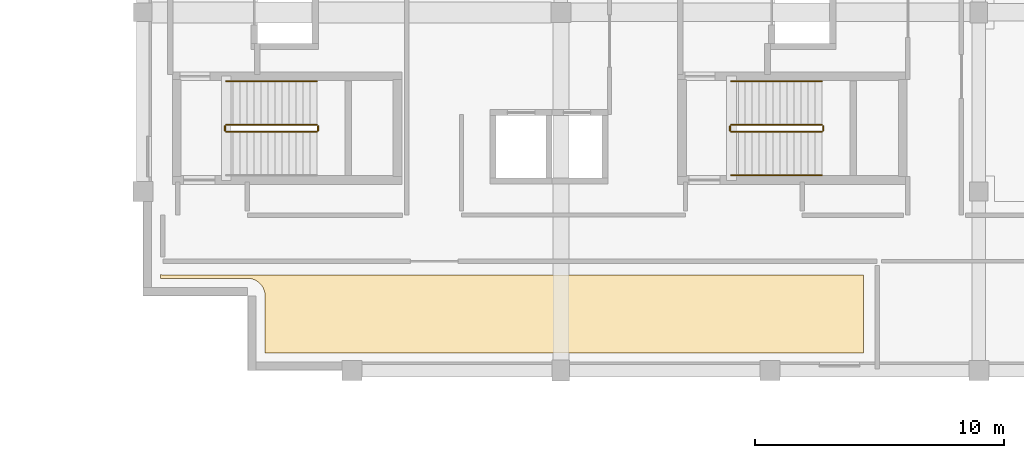
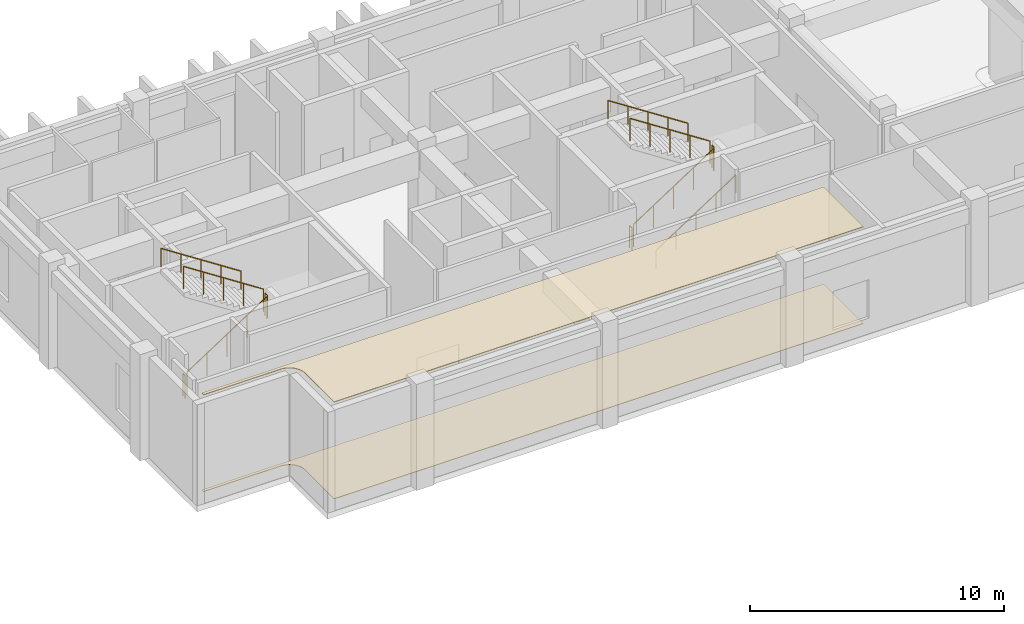
# One storey, part 76 of 78: 11 railings, 2 coverings.
"""IFC4 building model written with IfcOpenShell, lengths in metres."""

from ifc_helpers import new_model, si_unit, direction, frame, origin, origin_2d, place, context, subcontext, project, spatial, polyline, circle, outline, extrude, material, layer, layer_set, type_object, element, save


model = new_model("IFC4")

# Units and contexts
model_context = context("Model", 3, precision=1e-05, world=origin(), true_north=direction((0.0, 1.0)))
body_context = subcontext(model_context, "Body", "Model", "MODEL_VIEW")
ifc_project = project(units=[si_unit("LENGTHUNIT", "METRE"), si_unit("AREAUNIT", "SQUARE_METRE"), si_unit("VOLUMEUNIT", "CUBIC_METRE"), si_unit("PLANEANGLEUNIT", "RADIAN"), si_unit("MASSUNIT", "GRAM", prefix="KILO")], contexts=[model_context])

# Site, building, storey
site_placement = place(None, origin())
site = spatial("IfcSite", under=ifc_project, at=site_placement, CompositionType="ELEMENT")
building_placement = place(site_placement, origin())
building = spatial("IfcBuilding", under=site, at=building_placement, Name="Quendrovan Civic Courthouse", CompositionType="ELEMENT")
storey_placement = place(building_placement, frame((0.0, 0.0, 20.39990234375)))
storey = spatial("IfcBuildingStorey", under=building, at=storey_placement, Name="L05", CompositionType="ELEMENT", Elevation=20.39990234375)

# Coverings
ifc_material_1 = material(Name="Perforated Western Red Cedar and mineral acoustic ceiling")
ifc_layer_1 = layer(ifc_material_1, 0.034912109375, Name="Perforated Western Red Cedar and mineral acoustic ceiling")
ifc_layer_set_1 = layer_set([ifc_layer_1], Name="Perforated Western Red Cedar and mineral acoustic ceiling")
covering_type_1 = type_object("IfcCoveringType", Name="COV-CEIL-ACOUSTIC", PredefinedType="CEILING", material=ifc_layer_set_1)
covering_1_placement = place(storey_placement, frame((0.0, 0.0, 4.64501953125)))
element("IfcCovering", 1, at=covering_1_placement, inside=storey, type_object=covering_type_1, Name="L05 Trial Courtroom Acoustic Ceiling", PredefinedType="CEILING", context=body_context, shape_type="SweptSolid", body=[
    extrude(outline(polyline([(34.31005859375, 91.31005859375), (34.31005859375, 91.4580078125), (34.34619140625, 91.45263671875), (34.39990234375, 91.449951171875), (62.56005859375, 91.449951171875), (62.56005859375, 88.31005859375), (38.510009765625, 88.31005859375), (38.510009765625, 90.60009765625), (38.50927734375, 90.6279296875), (38.508544921875, 90.643798828125), (38.503173828125, 90.6962890625), (38.5009765625, 90.7119140625), (38.490478515625, 90.7646484375), (38.48681640625, 90.77978515625), (38.470947265625, 90.831787109375), (38.465576171875, 90.8466796875), (38.4453125, 90.89599609375), (38.4384765625, 90.91015625), (38.41259765625, 90.95849609375), (38.404541015625, 90.971923828125), (38.37548828125, 91.015380859375), (38.3662109375, 91.028076171875), (38.32958984375, 91.072509765625), (38.319091796875, 91.083984375), (38.2841796875, 91.119140625), (38.2724609375, 91.129638671875), (38.22802734375, 91.166259765625), (38.215576171875, 91.175537109375), (38.171875, 91.20458984375), (38.158447265625, 91.212646484375), (38.110107421875, 91.238525390625), (38.095947265625, 91.2451171875), (38.046630859375, 91.265625), (38.03173828125, 91.27099609375), (37.979736328125, 91.28662109375), (37.964599609375, 91.29052734375), (37.911865234375, 91.30078125), (37.896484375, 91.30322265625), (37.84375, 91.30859375), (37.827880859375, 91.309326171875), (37.800048828125, 91.31005859375), (34.31005859375, 91.31005859375)])), origin(), (0.0, 0.0, 1.0), 0.03515625),
])
ifc_material_2 = material(Name="Solid oak courtroom parquet flooring")
ifc_layer_2 = layer(ifc_material_2, 0.02490234375, Name="Solid oak courtroom parquet flooring")
ifc_layer_set_2 = layer_set([ifc_layer_2], Name="Solid oak courtroom parquet flooring")
covering_type_2 = type_object("IfcCoveringType", Name="COV-FLOR-TIMBER", PredefinedType="FLOORING", material=ifc_layer_set_2)
covering_2_placement = place(storey_placement, origin())
element("IfcCovering", 2, at=covering_2_placement, inside=storey, type_object=covering_type_2, Name="L05 Trial Courtroom Finish Flooring", PredefinedType="FLOORING", context=body_context, shape_type="SweptSolid", body=[
    extrude(outline(polyline([(34.31005859375, 91.31005859375), (34.31005859375, 91.4580078125), (34.34619140625, 91.45263671875), (34.39990234375, 91.449951171875), (62.56005859375, 91.449951171875), (62.56005859375, 88.31005859375), (38.510009765625, 88.31005859375), (38.510009765625, 90.60009765625), (38.50927734375, 90.6279296875), (38.508544921875, 90.643798828125), (38.503173828125, 90.6962890625), (38.5009765625, 90.7119140625), (38.490478515625, 90.7646484375), (38.48681640625, 90.77978515625), (38.470947265625, 90.831787109375), (38.465576171875, 90.8466796875), (38.4453125, 90.89599609375), (38.4384765625, 90.91015625), (38.41259765625, 90.95849609375), (38.404541015625, 90.971923828125), (38.37548828125, 91.015380859375), (38.3662109375, 91.028076171875), (38.32958984375, 91.072509765625), (38.319091796875, 91.083984375), (38.2841796875, 91.119140625), (38.2724609375, 91.129638671875), (38.22802734375, 91.166259765625), (38.215576171875, 91.175537109375), (38.171875, 91.20458984375), (38.158447265625, 91.212646484375), (38.110107421875, 91.238525390625), (38.095947265625, 91.2451171875), (38.046630859375, 91.265625), (38.03173828125, 91.27099609375), (37.979736328125, 91.28662109375), (37.964599609375, 91.29052734375), (37.911865234375, 91.30078125), (37.896484375, 91.30322265625), (37.84375, 91.30859375), (37.827880859375, 91.309326171875), (37.800048828125, 91.31005859375), (34.31005859375, 91.31005859375)])), origin(), (0.0, 0.0, 1.0), 0.025146484375),
])

# Railings
ifc_material_3 = material(Name="Painted galvanized steel", Category="steel")
railing_type_1 = type_object("IfcRailingType", Name="RL-STR-GUARD1100", PredefinedType="GUARDRAIL", material=ifc_material_3)
railing_1_placement = place(storey_placement, frame((36.949951171875, 97.199951171875, 0.18212890625)))
element("IfcRailing", 3, at=railing_1_placement, inside=storey, type_object=railing_type_1, Name="L05 ST1 stair guard 1", PredefinedType="GUARDRAIL", context=body_context, shape_type="SweptSolid", body=[
    extrude(circle(Radius=0.02392578125, at=origin_2d()), frame((0.0, 0.0, 1.076171875), z_axis=(0.83825089185, 0.0, 0.545284735081), x_axis=(0.0, 1.0, 0.0)), (0.0, 0.0, 1.0), 4.342529296875),
    extrude(circle(Radius=0.02099609375, at=origin_2d()), origin(), (0.0, 0.0, 1.0), 1.052001953125),
    extrude(circle(Radius=0.02099609375, at=origin_2d()), frame((0.91015625, 0.0, 0.592041015625)), (0.0, 0.0, 1.0), 1.052001953125),
    extrude(circle(Radius=0.02099609375, at=origin_2d()), frame((1.820068359375, 0.0, 1.18408203125)), (0.0, 0.0, 1.0), 1.052001953125),
    extrude(circle(Radius=0.02099609375, at=origin_2d()), frame((2.72998046875, 0.0, 1.77587890625)), (0.0, 0.0, 1.0), 1.052001953125),
    extrude(circle(Radius=0.02099609375, at=origin_2d()), frame((3.64013671875, 0.0, 2.367919921875)), (0.0, 0.0, 1.0), 1.052001953125),
])
railing_2_placement = place(storey_placement, frame((40.639892578125, 97.25, 2.550048828125)))
element("IfcRailing", 4, at=railing_2_placement, inside=storey, type_object=railing_type_1, Name="L05 ST1 stair guard 2", PredefinedType="GUARDRAIL", context=body_context, shape_type="SweptSolid", body=[
    extrude(circle(Radius=0.02392578125, at=origin_2d()), frame((0.0, 0.0, 1.076171875), z_axis=(0.0, 1.0, 0.0), x_axis=(-1.0, 0.0, 0.0)), (0.0, 0.0, 1.0), 0.179931640625),
    extrude(circle(Radius=0.02099609375, at=origin_2d()), origin(), (0.0, 0.0, 1.0), 1.052001953125),
    extrude(circle(Radius=0.02099609375, at=origin_2d()), frame((0.0, 0.179931640625, 0.0)), (0.0, 0.0, 1.0), 1.052001953125),
])
railing_3_placement = place(storey_placement, frame((40.590087890625, 97.47998046875, 2.732177734375)))
element("IfcRailing", 5, at=railing_3_placement, inside=storey, type_object=railing_type_1, Name="L05 ST1 stair guard 3", PredefinedType="GUARDRAIL", context=body_context, shape_type="SweptSolid", body=[
    extrude(circle(Radius=0.02392578125, at=origin_2d()), frame((0.0, 0.0, 1.076171875), z_axis=(-0.83825089185, 0.0, 0.545284735081), x_axis=(0.0, -1.0, 0.0)), (0.0, 0.0, 1.0), 4.342529296875),
    extrude(circle(Radius=0.02099609375, at=origin_2d()), origin(), (0.0, 0.0, 1.0), 1.052001953125),
    extrude(circle(Radius=0.02099609375, at=origin_2d()), frame((-0.91015625, 0.0, 0.592041015625)), (0.0, 0.0, 1.0), 1.052001953125),
    extrude(circle(Radius=0.02099609375, at=origin_2d()), frame((-1.820068359375, 0.0, 1.18408203125)), (0.0, 0.0, 1.0), 1.052001953125),
    extrude(circle(Radius=0.02099609375, at=origin_2d()), frame((-2.72998046875, 0.0, 1.77587890625)), (0.0, 0.0, 1.0), 1.052001953125),
    extrude(circle(Radius=0.02099609375, at=origin_2d()), frame((-3.64013671875, 0.0, 2.367919921875)), (0.0, 0.0, 1.0), 1.052001953125),
])
railing_4_placement = place(storey_placement, frame((36.89990234375, 97.25, 0.0)))
element("IfcRailing", 6, at=railing_4_placement, inside=storey, type_object=railing_type_1, Name="L05 ST1 stair guard 4", PredefinedType="GUARDRAIL", context=body_context, shape_type="SweptSolid", body=[
    extrude(circle(Radius=0.02392578125, at=origin_2d()), frame((0.0, 0.0, 1.076171875), z_axis=(0.0, 1.0, 0.0), x_axis=(-1.0, 0.0, 0.0)), (0.0, 0.0, 1.0), 0.179931640625),
    extrude(circle(Radius=0.02099609375, at=origin_2d()), origin(), (0.0, 0.0, 1.0), 1.052001953125),
    extrude(circle(Radius=0.02099609375, at=origin_2d()), frame((0.0, 0.179931640625, 0.0)), (0.0, 0.0, 1.0), 1.052001953125),
])
railing_5_placement = place(storey_placement, frame((57.25, 97.199951171875, 0.18212890625)))
element("IfcRailing", 7, at=railing_5_placement, inside=storey, type_object=railing_type_1, Name="L05 ST2 stair guard 1", PredefinedType="GUARDRAIL", context=body_context, shape_type="SweptSolid", body=[
    extrude(circle(Radius=0.02392578125, at=origin_2d()), frame((0.0, 0.0, 1.076171875), z_axis=(0.838234174257, 0.0, 0.545310433706), x_axis=(0.0, 1.0, 0.0)), (0.0, 0.0, 1.0), 4.34228515625),
    extrude(circle(Radius=0.02099609375, at=origin_2d()), origin(), (0.0, 0.0, 1.0), 1.052001953125),
    extrude(circle(Radius=0.02099609375, at=origin_2d()), frame((0.909912109375, 0.0, 0.592041015625)), (0.0, 0.0, 1.0), 1.052001953125),
    extrude(circle(Radius=0.02099609375, at=origin_2d()), frame((1.81982421875, 0.0, 1.18408203125)), (0.0, 0.0, 1.0), 1.052001953125),
    extrude(circle(Radius=0.02099609375, at=origin_2d()), frame((2.72998046875, 0.0, 1.77587890625)), (0.0, 0.0, 1.0), 1.052001953125),
    extrude(circle(Radius=0.02099609375, at=origin_2d()), frame((3.639892578125, 0.0, 2.367919921875)), (0.0, 0.0, 1.0), 1.052001953125),
])
railing_6_placement = place(storey_placement, frame((60.93994140625, 97.25, 2.550048828125)))
element("IfcRailing", 8, at=railing_6_placement, inside=storey, type_object=railing_type_1, Name="L05 ST2 stair guard 2", PredefinedType="GUARDRAIL", context=body_context, shape_type="SweptSolid", body=[
    extrude(circle(Radius=0.02392578125, at=origin_2d()), frame((0.0, 0.0, 1.076171875), z_axis=(0.0, 1.0, 0.0), x_axis=(-1.0, 0.0, 0.0)), (0.0, 0.0, 1.0), 0.179931640625),
    extrude(circle(Radius=0.02099609375, at=origin_2d()), origin(), (0.0, 0.0, 1.0), 1.052001953125),
    extrude(circle(Radius=0.02099609375, at=origin_2d()), frame((0.0, 0.179931640625, 0.0)), (0.0, 0.0, 1.0), 1.052001953125),
])
railing_7_placement = place(storey_placement, frame((60.889892578125, 97.47998046875, 2.732177734375)))
element("IfcRailing", 9, at=railing_7_placement, inside=storey, type_object=railing_type_1, Name="L05 ST2 stair guard 3", PredefinedType="GUARDRAIL", context=body_context, shape_type="SweptSolid", body=[
    extrude(circle(Radius=0.02392578125, at=origin_2d()), frame((0.0, 0.0, 1.076171875), z_axis=(-0.838234174257, 0.0, 0.545310433706), x_axis=(0.0, -1.0, 0.0)), (0.0, 0.0, 1.0), 4.34228515625),
    extrude(circle(Radius=0.02099609375, at=origin_2d()), origin(), (0.0, 0.0, 1.0), 1.052001953125),
    extrude(circle(Radius=0.02099609375, at=origin_2d()), frame((-0.909912109375, 0.0, 0.592041015625)), (0.0, 0.0, 1.0), 1.052001953125),
    extrude(circle(Radius=0.02099609375, at=origin_2d()), frame((-1.81982421875, 0.0, 1.18408203125)), (0.0, 0.0, 1.0), 1.052001953125),
    extrude(circle(Radius=0.02099609375, at=origin_2d()), frame((-2.72998046875, 0.0, 1.77587890625)), (0.0, 0.0, 1.0), 1.052001953125),
    extrude(circle(Radius=0.02099609375, at=origin_2d()), frame((-3.639892578125, 0.0, 2.367919921875)), (0.0, 0.0, 1.0), 1.052001953125),
])
railing_8_placement = place(storey_placement, frame((57.199951171875, 97.25, 0.0)))
element("IfcRailing", 10, at=railing_8_placement, inside=storey, type_object=railing_type_1, Name="L05 ST2 stair guard 4", PredefinedType="GUARDRAIL", context=body_context, shape_type="SweptSolid", body=[
    extrude(circle(Radius=0.02392578125, at=origin_2d()), frame((0.0, 0.0, 1.076171875), z_axis=(0.0, 1.0, 0.0), x_axis=(-1.0, 0.0, 0.0)), (0.0, 0.0, 1.0), 0.179931640625),
    extrude(circle(Radius=0.02099609375, at=origin_2d()), origin(), (0.0, 0.0, 1.0), 1.052001953125),
    extrude(circle(Radius=0.02099609375, at=origin_2d()), frame((0.0, 0.179931640625, 0.0)), (0.0, 0.0, 1.0), 1.052001953125),
])
ifc_material_4 = material(Name="Bronze anodised aluminium", Category="aluminium")
railing_type_2 = type_object("IfcRailingType", Name="RL-STR-HAND900", PredefinedType="HANDRAIL", material=ifc_material_4)
railing_9_placement = place(storey_placement, frame((40.590087890625, 99.22998046875, 2.732177734375)))
element("IfcRailing", 11, at=railing_9_placement, inside=storey, type_object=railing_type_2, Name="L05 ST1 stair handrail 2", PredefinedType="HANDRAIL", context=body_context, shape_type="SweptSolid", body=[
    extrude(circle(Radius=0.02392578125, at=origin_2d()), frame((0.0, 0.0, 0.8759765625), z_axis=(-0.83825089185, 0.0, 0.545284735081), x_axis=(0.0, -1.0, 0.0)), (0.0, 0.0, 1.0), 4.342529296875),
    extrude(circle(Radius=0.02099609375, at=origin_2d()), origin(), (0.0, 0.0, 1.0), 0.851806640625),
    extrude(circle(Radius=0.02099609375, at=origin_2d()), frame((-0.91015625, 0.0, 0.592041015625)), (0.0, 0.0, 1.0), 0.851806640625),
    extrude(circle(Radius=0.02099609375, at=origin_2d()), frame((-1.820068359375, 0.0, 1.18408203125)), (0.0, 0.0, 1.0), 0.851806640625),
    extrude(circle(Radius=0.02099609375, at=origin_2d()), frame((-2.72998046875, 0.0, 1.77587890625)), (0.0, 0.0, 1.0), 0.851806640625),
    extrude(circle(Radius=0.02099609375, at=origin_2d()), frame((-3.64013671875, 0.0, 2.367919921875)), (0.0, 0.0, 1.0), 0.851806640625),
])
railing_10_placement = place(storey_placement, frame((57.25, 95.449951171875, 0.18212890625)))
element("IfcRailing", 12, at=railing_10_placement, inside=storey, type_object=railing_type_2, Name="L05 ST2 stair handrail 1", PredefinedType="HANDRAIL", context=body_context, shape_type="SweptSolid", body=[
    extrude(circle(Radius=0.02392578125, at=origin_2d()), frame((0.0, 0.0, 0.8759765625), z_axis=(0.838234174257, 0.0, 0.545310433706), x_axis=(0.0, 1.0, 0.0)), (0.0, 0.0, 1.0), 4.34228515625),
    extrude(circle(Radius=0.02099609375, at=origin_2d()), origin(), (0.0, 0.0, 1.0), 0.851806640625),
    extrude(circle(Radius=0.02099609375, at=origin_2d()), frame((0.909912109375, 0.0, 0.592041015625)), (0.0, 0.0, 1.0), 0.851806640625),
    extrude(circle(Radius=0.02099609375, at=origin_2d()), frame((1.81982421875, 0.0, 1.18408203125)), (0.0, 0.0, 1.0), 0.851806640625),
    extrude(circle(Radius=0.02099609375, at=origin_2d()), frame((2.72998046875, 0.0, 1.77587890625)), (0.0, 0.0, 1.0), 0.851806640625),
    extrude(circle(Radius=0.02099609375, at=origin_2d()), frame((3.639892578125, 0.0, 2.367919921875)), (0.0, 0.0, 1.0), 0.851806640625),
])
railing_11_placement = place(storey_placement, frame((60.889892578125, 99.22998046875, 2.732177734375)))
element("IfcRailing", 13, at=railing_11_placement, inside=storey, type_object=railing_type_2, Name="L05 ST2 stair handrail 2", PredefinedType="HANDRAIL", context=body_context, shape_type="SweptSolid", body=[
    extrude(circle(Radius=0.02392578125, at=origin_2d()), frame((0.0, 0.0, 0.8759765625), z_axis=(-0.838234174257, 0.0, 0.545310433706), x_axis=(0.0, -1.0, 0.0)), (0.0, 0.0, 1.0), 4.34228515625),
    extrude(circle(Radius=0.02099609375, at=origin_2d()), origin(), (0.0, 0.0, 1.0), 0.851806640625),
    extrude(circle(Radius=0.02099609375, at=origin_2d()), frame((-0.909912109375, 0.0, 0.592041015625)), (0.0, 0.0, 1.0), 0.851806640625),
    extrude(circle(Radius=0.02099609375, at=origin_2d()), frame((-1.81982421875, 0.0, 1.18408203125)), (0.0, 0.0, 1.0), 0.851806640625),
    extrude(circle(Radius=0.02099609375, at=origin_2d()), frame((-2.72998046875, 0.0, 1.77587890625)), (0.0, 0.0, 1.0), 0.851806640625),
    extrude(circle(Radius=0.02099609375, at=origin_2d()), frame((-3.639892578125, 0.0, 2.367919921875)), (0.0, 0.0, 1.0), 0.851806640625),
])

save(model, "model.ifc")
